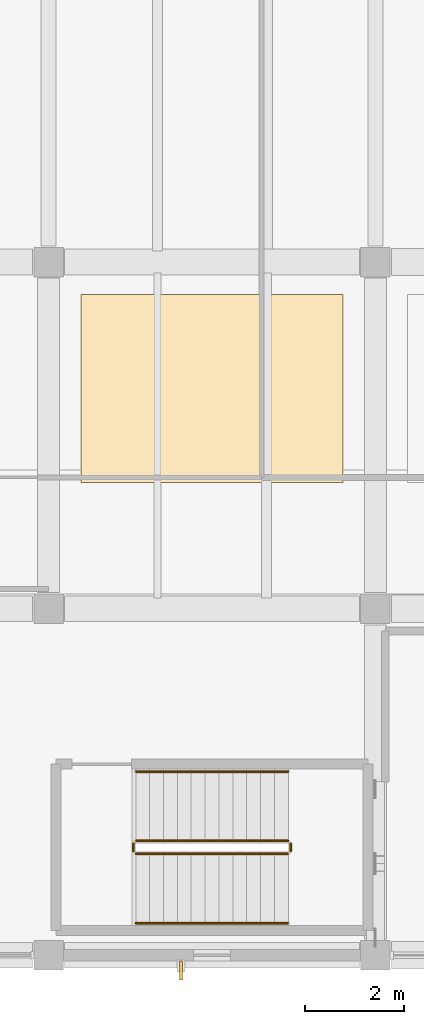
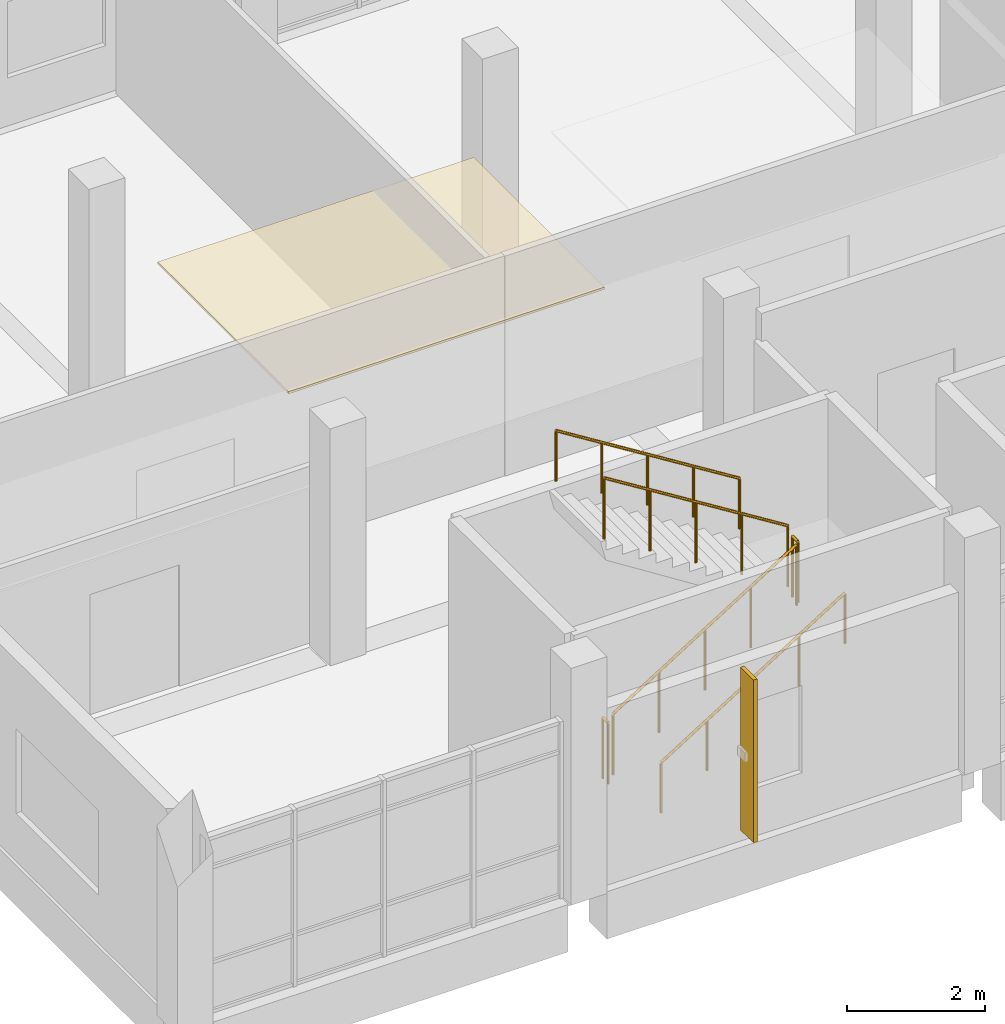
# One storey, part 12 of 14: 6 railings, 1 covering, 1 shading device.
"""IFC4 building model written with IfcOpenShell, lengths in metres."""

import ifcopenshell
import ifcopenshell.guid

model = None  # the IFC model being written
_history = None  # IfcOwnerHistory: only IFC2X3 demands one
_inside = {}  # id of a spatial element -> (the spatial element, [elements in it])
_under = {}  # id of a project, library or spatial element -> (it, [spatial elements below it])
_declared = {}  # id of a project -> (the project, [libraries it declares])
_typed = {}  # id of a type object -> (the type object, [elements of that type])
_made_of = {}  # id of a material, layer set ... -> (it, [elements and type objects made of it])


def new_model(schema):
    """Start an empty IFC model of exactly this schema.

    Asked for "IFC4X3", IfcOpenShell would pick the latest addendum, in which some entities
    have other attributes; the version numbers below select the first issue.
    IFC2X3 requires an IfcOwnerHistory on every rooted entity: one is made here for all.
    """
    global model, _history
    if schema == "IFC4X3":
        model = ifcopenshell.file(schema_version=(4, 3, 0, 0))
    else:
        model = ifcopenshell.file(schema=schema)
    _inside.clear()
    _under.clear()
    _declared.clear()
    _typed.clear()
    _made_of.clear()
    _history = None
    if model.schema == "IFC2X3":
        org = make("IfcOrganization", Name="unknown")
        user = make(
            "IfcPersonAndOrganization",
            ThePerson=make("IfcPerson", FamilyName="unknown"),
            TheOrganization=org,
        )
        app = make(
            "IfcApplication",
            ApplicationDeveloper=org,
            Version="unknown",
            ApplicationFullName="unknown",
            ApplicationIdentifier="unknown",
        )
        _history = make(
            "IfcOwnerHistory",
            OwningUser=user,
            OwningApplication=app,
            ChangeAction="ADDED",
            CreationDate=0,
        )
    return model


def make(cls, **values):
    """One entity of the class cls with the attributes given. An attribute that is None is left unset."""
    return model.create_entity(
        cls, **{name: value for name, value in values.items() if value is not None}
    )


def rooted(cls, **values):
    """An entity with a GlobalId (a new one), such as an element, a storey or a relation."""
    return make(cls, GlobalId=ifcopenshell.guid.new(), OwnerHistory=_history, **values)


def si_unit(unit_type, name, prefix=None):
    """IfcSIUnit, for example si_unit("LENGTHUNIT", "METRE", prefix="MILLI")."""
    return make("IfcSIUnit", UnitType=unit_type, Prefix=prefix, Name=name)


def assignment(units):
    """IfcUnitAssignment: the units of a project."""
    return None if units is None else make("IfcUnitAssignment", Units=units)


def point(xyz):
    """IfcCartesianPoint."""
    return None if xyz is None else make("IfcCartesianPoint", Coordinates=xyz)


def direction(xyz):
    """IfcDirection."""
    return None if xyz is None else make("IfcDirection", DirectionRatios=xyz)


def frame(location, z_axis=None, x_axis=None):
    """IfcAxis2Placement3D, a coordinate frame: its origin and axes. An axis left out is left unset."""
    return make(
        "IfcAxis2Placement3D",
        Location=point(location),
        Axis=direction(z_axis),
        RefDirection=direction(x_axis),
    )


def frame_2d(location, x_axis=None):
    """IfcAxis2Placement2D, a coordinate frame in the plane: its origin and x axis."""
    return make(
        "IfcAxis2Placement2D", Location=point(location), RefDirection=direction(x_axis)
    )


def origin():
    """The frame at (0, 0, 0) with its axes left unset."""
    return frame((0.0, 0.0, 0.0))


def origin_2d():
    """The frame at (0, 0) in the plane with its x axis left unset."""
    return frame_2d((0.0, 0.0))


def place(relative_to, where):
    """IfcLocalPlacement: puts the frame where relative to a parent placement (None: the world)."""
    return make(
        "IfcLocalPlacement", PlacementRelTo=relative_to, RelativePlacement=where
    )


def context(
    kind, dimensions, precision=None, world=None, true_north=None, identifier=None
):
    """IfcGeometricRepresentationContext, for example the 3D "Model" context."""
    return make(
        "IfcGeometricRepresentationContext",
        ContextIdentifier=identifier,
        ContextType=kind,
        CoordinateSpaceDimension=dimensions,
        Precision=precision,
        WorldCoordinateSystem=world,
        TrueNorth=true_north,
    )


def subcontext(parent, identifier, kind, view, scale=None):
    """IfcGeometricRepresentationSubContext, for example "Body" below "Model"."""
    return make(
        "IfcGeometricRepresentationSubContext",
        ContextIdentifier=identifier,
        ContextType=kind,
        ParentContext=parent,
        TargetScale=scale,
        TargetView=view,
    )


def project(units=None, contexts=None):
    """IfcProject with its units and contexts."""
    return rooted(
        "IfcProject",
        Name="project",
        RepresentationContexts=contexts,
        UnitsInContext=assignment(units),
    )


def spatial(cls, under=None, at=None, **own):
    """A site, building, storey or space (cls), placed at a placement, below another one or the project."""
    s = rooted(cls, ObjectPlacement=at, **own)
    if under is not None:
        _under.setdefault(under.id(), (under, []))[1].append(s)
    return s


def polyline(points):
    """IfcPolyline through the points."""
    return make("IfcPolyline", Points=[point(p) for p in points])


def profile(cls, at=None, kind="AREA", **sizes):
    """A parametric profile (cls). Its sizes go by their IFC names, for example OverallWidth=200.0."""
    return make(cls, ProfileType=kind, Position=at, **sizes)


def rectangle(**sizes):
    """IfcRectangleProfileDef."""
    return profile("IfcRectangleProfileDef", **sizes)


def circle(**sizes):
    """IfcCircleProfileDef."""
    return profile("IfcCircleProfileDef", **sizes)


def outline(outer, holes=None, kind="AREA"):
    """IfcArbitraryClosedProfileDef: a profile drawn as a closed curve; with holes, ...WithVoids."""
    if holes is None:
        return make("IfcArbitraryClosedProfileDef", ProfileType=kind, OuterCurve=outer)
    return make(
        "IfcArbitraryProfileDefWithVoids",
        ProfileType=kind,
        OuterCurve=outer,
        InnerCurves=holes,
    )


def extrude(swept, where, along, depth):
    """IfcExtrudedAreaSolid: the profile swept, set in the frame where, extruded along a direction by depth."""
    return make(
        "IfcExtrudedAreaSolid",
        SweptArea=swept,
        Position=where,
        ExtrudedDirection=direction(along),
        Depth=depth,
    )


def shape(context_of_items, identifier, shape_type, items):
    """IfcShapeRepresentation: the items that make up one representation, for example the "Body"."""
    return make(
        "IfcShapeRepresentation",
        ContextOfItems=context_of_items,
        RepresentationIdentifier=identifier,
        RepresentationType=shape_type,
        Items=items,
    )


def material(Name=None, Category=None):
    """IfcMaterial."""
    return make("IfcMaterial", Name=Name, Category=Category)


def layer(
    of_material, thickness, ventilated=None, Name=None, Category=None, Priority=None
):
    """IfcMaterialLayer: one layer of a wall or slab, of a material (None: an air gap)."""
    return make(
        "IfcMaterialLayer",
        Material=of_material,
        LayerThickness=thickness,
        IsVentilated=ventilated,
        Name=Name,
        Category=Category,
        Priority=Priority,
    )


def layer_set(layers, Name=None):
    """IfcMaterialLayerSet."""
    return make("IfcMaterialLayerSet", MaterialLayers=layers, LayerSetName=Name)


def material_profile(
    of_material, cross_section, Name=None, Category=None, Priority=None
):
    """IfcMaterialProfile: a cross section and its material."""
    return make(
        "IfcMaterialProfile",
        Name=Name,
        Material=of_material,
        Profile=cross_section,
        Priority=Priority,
        Category=Category,
    )


def profile_set(profiles, Name=None, composite=None):
    """IfcMaterialProfileSet."""
    return make(
        "IfcMaterialProfileSet",
        Name=Name,
        MaterialProfiles=profiles,
        CompositeProfile=composite,
    )


def made_of(thing, what):
    """Note that an element or type object is made of a material, layer set ...; save() writes the relation."""
    if what is not None:
        _made_of.setdefault(what.id(), (what, []))[1].append(thing)
    return thing


def type_object(cls, material=None, **own):
    """A type object (cls), such as IfcWallType, which elements share."""
    return made_of(rooted(cls, **own), material)


def element(
    cls,
    number,
    at=None,
    inside=None,
    cuts=None,
    type_object=None,
    material=None,
    context=None,
    identifier="Body",
    shape_type=None,
    held_by="IfcProductDefinitionShape",
    body=None,
    shapes=None,
    **own,
):
    """One element of the class cls, such as IfcWall. Its Tag is "e" and its number.

    at: its placement. inside: the storey or other place that contains it. cuts: it is an
    opening in that element (IfcRelVoidsElement). A single representation is given by context,
    identifier, shape_type and body (its items); several are given by shapes. held_by: the class
    of the entity that holds the representations. save() writes the other relations.
    """
    e = rooted(cls, Tag="e%d" % number, ObjectPlacement=at, **own)
    if body is not None:
        shapes = [shape(context, identifier, shape_type, body)]
    if shapes is not None:
        e.Representation = make(held_by, Representations=shapes)
    if inside is not None:
        _inside.setdefault(inside.id(), (inside, []))[1].append(e)
    if cuts is not None:
        rooted(
            "IfcRelVoidsElement", RelatingBuildingElement=cuts, RelatedOpeningElement=e
        )
    if type_object is not None:
        _typed.setdefault(type_object.id(), (type_object, []))[1].append(e)
    return made_of(e, material)


def aggregate(whole, parts):
    """IfcRelAggregates: a whole, such as a stair, and the parts it consists of."""
    return rooted("IfcRelAggregates", RelatingObject=whole, RelatedObjects=parts)


def save(model, path):
    """Write the relations noted so far, then the file.

    IfcRelAggregates (storeys below a building ...), IfcRelContainedInSpatialStructure (elements
    in a storey), IfcRelDefinesByType, IfcRelAssociatesMaterial and IfcRelDeclares: one each for
    every whole, place, type object, material and project.
    """
    for whole, parts in _under.values():
        aggregate(whole, parts)
    for where, things in _inside.values():
        rooted(
            "IfcRelContainedInSpatialStructure",
            RelatedElements=things,
            RelatingStructure=where,
        )
    for kind, things in _typed.values():
        rooted("IfcRelDefinesByType", RelatedObjects=things, RelatingType=kind)
    for what, things in _made_of.values():
        rooted("IfcRelAssociatesMaterial", RelatedObjects=things, RelatingMaterial=what)
    for by, libraries in _declared.values():
        rooted("IfcRelDeclares", RelatingContext=by, RelatedDefinitions=libraries)
    model.write(path)


model = new_model("IFC4")

# Units and contexts
model_context = context("Model", 3, precision=1e-05, world=origin(), true_north=direction((0.0, 1.0)))
body_context = subcontext(model_context, "Body", "Model", "MODEL_VIEW")
ifc_project = project(units=[si_unit("LENGTHUNIT", "METRE"), si_unit("AREAUNIT", "SQUARE_METRE"), si_unit("VOLUMEUNIT", "CUBIC_METRE"), si_unit("PLANEANGLEUNIT", "RADIAN"), si_unit("MASSUNIT", "GRAM", prefix="KILO")], contexts=[model_context])

# Site, building, storey
site_placement = place(None, origin())
site = spatial("IfcSite", under=ifc_project, at=site_placement, CompositionType="ELEMENT")
building_placement = place(site_placement, origin())
building = spatial("IfcBuilding", under=site, at=building_placement, Name="Ciguamira Faculty of Natural Sciences", CompositionType="ELEMENT")
storey_placement = place(building_placement, frame((0.0, 0.0, 29.39990234375)))
storey = spatial("IfcBuildingStorey", under=building, at=storey_placement, Name="L07", CompositionType="ELEMENT", Elevation=29.39990234375)

# Covering
ifc_material_1 = material(Name="Perforated white acoustic ceiling")
ifc_layer = layer(ifc_material_1, 0.0400390625, Name="Perforated white acoustic ceiling")
ifc_layer_set = layer_set([ifc_layer], Name="Perforated white acoustic ceiling")
covering_type = type_object("IfcCoveringType", Name="AcousticCeiling_AC01", PredefinedType="CEILING", material=ifc_layer_set)
covering_placement = place(storey_placement, frame((0.0, 0.0, 2.760009765625)))
element("IfcCovering", 1, at=covering_placement, inside=storey, type_object=covering_type, Name="L07 research bay 01 acoustic ceiling", PredefinedType="CEILING", context=body_context, shape_type="SweptSolid", body=[
    extrude(outline(polyline([(71.14990234375, 103.550048828125), (76.449951171875, 103.550048828125), (76.449951171875, 107.35009765625), (71.14990234375, 107.35009765625), (71.14990234375, 103.550048828125)])), origin(), (0.0, 0.0, 1.0), 0.0400390625),
])

# Railings
ifc_material_2 = material(Name="Stainless steel balustrade", Category="steel")
railing_type_1 = type_object("IfcRailingType", Name="Guardrail_GR01", PredefinedType="GUARDRAIL", material=ifc_material_2)
railing_1_placement = place(storey_placement, frame((72.260009765625, 96.050048828125, 0.175048828125)))
element("IfcRailing", 2, at=railing_1_placement, inside=storey, type_object=railing_type_1, Name="L07 ST-T1 stair guard 1", PredefinedType="GUARDRAIL", context=body_context, shape_type="SweptSolid", body=[
    extrude(circle(Radius=0.02392578125, at=origin_2d()), frame((0.0, 0.0, 1.076171875), z_axis=(0.847998304005, 0.0, 0.529998940003), x_axis=(0.0, 1.0, 0.0)), (0.0, 0.0, 1.0), 3.632080078125),
    extrude(circle(Radius=0.02099609375, at=origin_2d()), origin(), (0.0, 0.0, 1.0), 1.052001953125),
    extrude(circle(Radius=0.02099609375, at=origin_2d()), frame((0.77001953125, 0.0, 0.481201171875)), (0.0, 0.0, 1.0), 1.052001953125),
    extrude(circle(Radius=0.02099609375, at=origin_2d()), frame((1.5400390625, 0.0, 0.96240234375)), (0.0, 0.0, 1.0), 1.052001953125),
    extrude(circle(Radius=0.02099609375, at=origin_2d()), frame((2.31005859375, 0.0, 1.44384765625)), (0.0, 0.0, 1.0), 1.052001953125),
    extrude(circle(Radius=0.02099609375, at=origin_2d()), frame((3.080078125, 0.0, 1.925048828125)), (0.0, 0.0, 1.0), 1.052001953125),
])
railing_2_placement = place(storey_placement, frame((75.389892578125, 96.10009765625, 2.10009765625)))
element("IfcRailing", 3, at=railing_2_placement, inside=storey, type_object=railing_type_1, Name="L07 ST-T1 stair guard 2", PredefinedType="GUARDRAIL", context=body_context, shape_type="SweptSolid", body=[
    extrude(circle(Radius=0.02392578125, at=origin_2d()), frame((0.0, 0.0, 1.076171875), z_axis=(0.0, 1.0, 0.0), x_axis=(-1.0, 0.0, 0.0)), (0.0, 0.0, 1.0), 0.159912109375),
    extrude(circle(Radius=0.02099609375, at=origin_2d()), origin(), (0.0, 0.0, 1.0), 1.052001953125),
    extrude(circle(Radius=0.02099609375, at=origin_2d()), frame((0.0, 0.159912109375, 0.0)), (0.0, 0.0, 1.0), 1.052001953125),
])
railing_3_placement = place(storey_placement, frame((75.340087890625, 96.31005859375, 2.275146484375)))
element("IfcRailing", 4, at=railing_3_placement, inside=storey, type_object=railing_type_1, Name="L07 ST-T1 stair guard 3", PredefinedType="GUARDRAIL", context=body_context, shape_type="SweptSolid", body=[
    extrude(circle(Radius=0.02392578125, at=origin_2d()), frame((0.0, 0.0, 1.076171875), z_axis=(-0.847998304005, 0.0, 0.529998940003), x_axis=(0.0, -1.0, 0.0)), (0.0, 0.0, 1.0), 3.632080078125),
    extrude(circle(Radius=0.02099609375, at=origin_2d()), origin(), (0.0, 0.0, 1.0), 1.052001953125),
    extrude(circle(Radius=0.02099609375, at=origin_2d()), frame((-0.77001953125, 0.0, 0.481201171875)), (0.0, 0.0, 1.0), 1.052001953125),
    extrude(circle(Radius=0.02099609375, at=origin_2d()), frame((-1.5400390625, 0.0, 0.96240234375)), (0.0, 0.0, 1.0), 1.052001953125),
    extrude(circle(Radius=0.02099609375, at=origin_2d()), frame((-2.31005859375, 0.0, 1.44384765625)), (0.0, 0.0, 1.0), 1.052001953125),
    extrude(circle(Radius=0.02099609375, at=origin_2d()), frame((-3.080078125, 0.0, 1.925048828125)), (0.0, 0.0, 1.0), 1.052001953125),
])
railing_4_placement = place(storey_placement, frame((72.2099609375, 96.10009765625, 0.0)))
element("IfcRailing", 5, at=railing_4_placement, inside=storey, type_object=railing_type_1, Name="L07 ST-T1 stair guard 4", PredefinedType="GUARDRAIL", context=body_context, shape_type="SweptSolid", body=[
    extrude(circle(Radius=0.02392578125, at=origin_2d()), frame((0.0, 0.0, 1.076171875), z_axis=(0.0, 1.0, 0.0), x_axis=(-1.0, 0.0, 0.0)), (0.0, 0.0, 1.0), 0.159912109375),
    extrude(circle(Radius=0.02099609375, at=origin_2d()), origin(), (0.0, 0.0, 1.0), 1.052001953125),
    extrude(circle(Radius=0.02099609375, at=origin_2d()), frame((0.0, 0.159912109375, 0.0)), (0.0, 0.0, 1.0), 1.052001953125),
])
ifc_material_3 = material(Name="Stainless steel handrail", Category="steel")
railing_type_2 = type_object("IfcRailingType", Name="Handrail_HR01", PredefinedType="HANDRAIL", material=ifc_material_3)
railing_5_placement = place(storey_placement, frame((72.260009765625, 94.64990234375, 0.35009765625)))
element("IfcRailing", 6, at=railing_5_placement, inside=storey, type_object=railing_type_2, Name="L07 ST-T1 stair handrail 1", PredefinedType="HANDRAIL", context=body_context, shape_type="SweptSolid", body=[
    extrude(circle(Radius=0.02392578125, at=origin_2d()), frame((0.0, 0.0, 0.89111328125), z_axis=(0.847998304005, 0.0, 0.529998940003), x_axis=(0.0, 1.0, 0.0)), (0.0, 0.0, 1.0), 3.632080078125),
    extrude(circle(Radius=0.02099609375, at=origin_2d()), origin(), (0.0, 0.0, 1.0), 0.866943359375),
    extrude(circle(Radius=0.02099609375, at=origin_2d()), frame((0.77001953125, 0.0, 0.481201171875)), (0.0, 0.0, 1.0), 0.866943359375),
    extrude(circle(Radius=0.02099609375, at=origin_2d()), frame((1.5400390625, 0.0, 0.96240234375)), (0.0, 0.0, 1.0), 0.866943359375),
    extrude(circle(Radius=0.02099609375, at=origin_2d()), frame((2.31005859375, 0.0, 1.44384765625)), (0.0, 0.0, 1.0), 0.866943359375),
    extrude(circle(Radius=0.02099609375, at=origin_2d()), frame((3.080078125, 0.0, 1.925048828125)), (0.0, 0.0, 1.0), 0.866943359375),
])
railing_6_placement = place(storey_placement, frame((75.340087890625, 97.7099609375, 2.4501953125)))
element("IfcRailing", 7, at=railing_6_placement, inside=storey, type_object=railing_type_2, Name="L07 ST-T1 stair handrail 2", PredefinedType="HANDRAIL", context=body_context, shape_type="SweptSolid", body=[
    extrude(circle(Radius=0.02392578125, at=origin_2d()), frame((0.0, 0.0, 0.89111328125), z_axis=(-0.848028513186, 0.0, 0.529950602248), x_axis=(0.0, -1.0, 0.0)), (0.0, 0.0, 1.0), 3.632080078125),
    extrude(circle(Radius=0.02099609375, at=origin_2d()), origin(), (0.0, 0.0, 1.0), 0.866943359375),
    extrude(circle(Radius=0.02099609375, at=origin_2d()), frame((-0.77001953125, 0.0, 0.481201171875)), (0.0, 0.0, 1.0), 0.866943359375),
    extrude(circle(Radius=0.02099609375, at=origin_2d()), frame((-1.5400390625, 0.0, 0.96240234375)), (0.0, 0.0, 1.0), 0.866943359375),
    extrude(circle(Radius=0.02099609375, at=origin_2d()), frame((-2.31005859375, 0.0, 1.443603515625)), (0.0, 0.0, 1.0), 0.866943359375),
    extrude(circle(Radius=0.02099609375, at=origin_2d()), frame((-3.080078125, 0.0, 1.9248046875)), (0.0, 0.0, 1.0), 0.866943359375),
])

# Shading device
ifc_material_4 = material(Name="Anodized bronze sunshade fin")
ifc_material_profile = material_profile(ifc_material_4, rectangle(XDim=0.06494140625, YDim=0.3798828125, at=origin_2d()), Name="BRZ-FIN-65X380")
ifc_profile_set = profile_set([ifc_material_profile], Name="Anodized bronze sunshade fin")
shading_device_type = type_object("IfcShadingDeviceType", Name="SunFin_SF01", PredefinedType="USERDEFINED", material=ifc_profile_set)
shading_device_placement = place(storey_placement, frame((73.175048828125, 93.68994140625, 0.2001953125), z_axis=(0.0, 0.0, 1.0), x_axis=(1.0, 0.0, 0.0)))
element("IfcShadingDevice", 8, at=shading_device_placement, inside=storey, type_object=shading_device_type, Name="L07 bronze vertical sunshade fin 0033", ObjectType="SUNSHADE FIN", PredefinedType="USERDEFINED", context=body_context, shape_type="SweptSolid", body=[
    extrude(rectangle(XDim=0.06494140625, YDim=0.3798828125, at=origin_2d()), origin(), (0.0, 0.0, 1.0), 2.885009765625),
])

save(model, "model.ifc")
